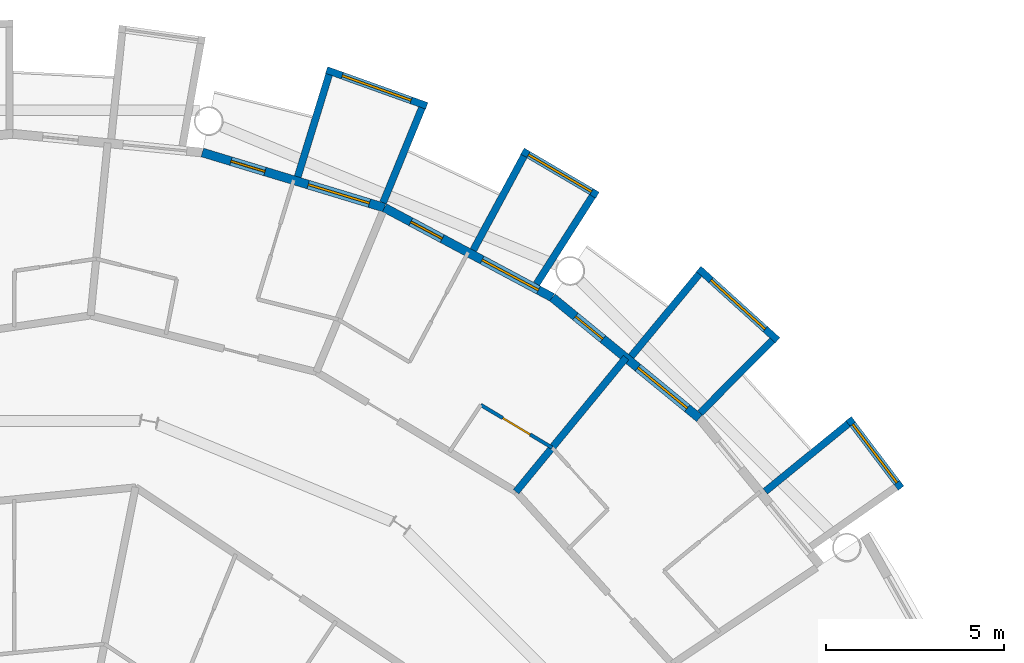
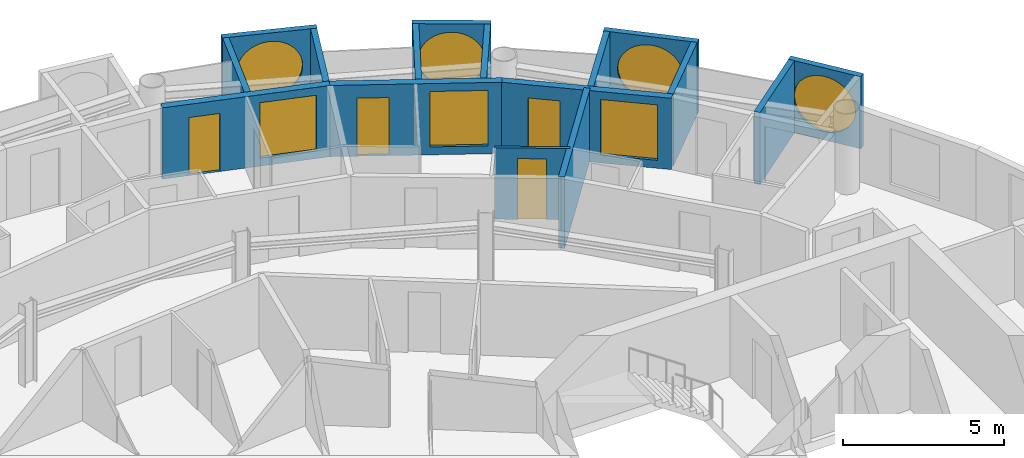
# One storey, part 23 of 27: 16 walls, 7 windows, 4 doors, 11 openings.
"""IFC4 building model written with IfcOpenShell, lengths in metres."""

from ifc_helpers import new_model, si_unit, direction, frame, frame_2d, origin, place, context, subcontext, project, spatial, rectangle, circle, extrude, material, layer, layer_set, type_object, element, fill, save


model = new_model("IFC4")

# Units and contexts
model_context = context("Model", 3, precision=1e-05, world=origin(), true_north=direction((0.0, 1.0)))
body_context = subcontext(model_context, "Body", "Model", "MODEL_VIEW")
ifc_project = project(units=[si_unit("LENGTHUNIT", "METRE"), si_unit("AREAUNIT", "SQUARE_METRE"), si_unit("VOLUMEUNIT", "CUBIC_METRE"), si_unit("PLANEANGLEUNIT", "RADIAN"), si_unit("MASSUNIT", "GRAM", prefix="KILO")], contexts=[model_context])

# Site, building, storey
site_placement = place(None, origin())
site = spatial("IfcSite", under=ifc_project, at=site_placement, CompositionType="ELEMENT")
building_placement = place(site_placement, origin())
building = spatial("IfcBuilding", under=site, at=building_placement, Name="Maasbend Ring Residences", CompositionType="ELEMENT")
storey_placement = place(building_placement, frame((0.0, 0.0, 145.199951171875)))
storey = spatial("IfcBuildingStorey", under=building, at=storey_placement, Name="L41", CompositionType="ELEMENT", Elevation=145.199951171875)

# Wall, opening, window
ifc_material_1 = material(Name="Pale anodised aluminium panel", Category="aluminium")
ifc_layer_1 = layer(ifc_material_1, 0.199951171875)
ifc_layer_set_1 = layer_set([ifc_layer_1], Name="EW-BOX")
wall_type_1 = type_object("IfcWallType", Name="EW-BOX", PredefinedType="SOLIDWALL", material=ifc_layer_set_1)
wall_1_placement = place(storey_placement, frame((24.971923828125, 17.3369140625, -0.030029296875), z_axis=(0.0, 0.0, 1.0), x_axis=(-0.602806268067, 0.797887588059, 0.0)))
wall_1 = element("IfcWall", 1, at=wall_1_placement, inside=storey, type_object=wall_type_1, Name="Box front N01", PredefinedType="SOLIDWALL", context=body_context, shape_type="SweptSolid", body=[
    extrude(rectangle(XDim=2.446533203125, YDim=0.199951171875, at=frame_2d((1.22314453125, 0.0))), origin(), (0.0, 0.0, 1.0), 2.72998046875),
])
opening_1_placement = place(wall_1_placement, frame((0.182861328125, 0.0, 0.330078125)))
opening_1 = element("IfcOpeningElement", 2, at=opening_1_placement, cuts=wall_1, Name="Opening W-RD", PredefinedType="OPENING", context=body_context, shape_type="SweptSolid", body=[
    extrude(circle(Radius=1.0400390625, at=frame_2d((1.0400390625, 1.0400390625))), frame((0.0, 0.10986328125, 0.0), z_axis=(0.0, -1.0, 0.0), x_axis=(1.0, 0.0, 0.0)), (0.0, 0.0, 1.0), 0.219970703125),
])
ifc_material_2 = material(Name="Aluminium and clear glass", Category="aluminium")
window_type_1 = type_object("IfcWindowType", Name="W-RD", PartitioningType="SINGLE_PANEL", PredefinedType="WINDOW", material=ifc_material_2)
window_1_placement = place(opening_1_placement, origin())
window_1 = element("IfcWindow", 3, at=window_1_placement, inside=storey, type_object=window_type_1, Name="Round window N01", OverallHeight=2.080078125, OverallWidth=2.080078125, PartitioningType="SINGLE_PANEL", PredefinedType="WINDOW", context=body_context, shape_type="SweptSolid", body=[
    extrude(circle(Radius=1.0400390625, at=frame_2d((1.0400390625, 1.0400390625))), frame((0.0, 0.030029296875, 0.0), z_axis=(0.0, -1.0, 0.0), x_axis=(1.0, 0.0, 0.0)), (0.0, 0.0, 1.0), 0.06005859375),
])
fill(opening_1, window_1)

# Wall
wall_2_placement = place(storey_placement, frame((21.155029296875, 17.24609375, -0.030029296875), z_axis=(0.0, 0.0, 1.0), x_axis=(0.775179004516, 0.631741648902, 0.0)))
element("IfcWall", 4, at=wall_2_placement, inside=storey, type_object=wall_type_1, Name="Box side wall N01 right", PredefinedType="SOLIDWALL", context=body_context, shape_type="SweptSolid", body=[
    extrude(rectangle(XDim=3.005859375, YDim=0.199951171875, at=frame_2d((1.5029296875, 0.0))), origin(), (0.0, 0.0, 1.0), 2.72998046875),
])

# Wall, opening, window
wall_3_placement = place(storey_placement, frame((21.5, 21.492919921875, -0.030029296875), z_axis=(0.0, 0.0, 1.0), x_axis=(-0.740998365753, 0.671506829416, 0.0)))
wall_3 = element("IfcWall", 5, at=wall_3_placement, inside=storey, type_object=wall_type_1, Name="Box front N03", PredefinedType="SOLIDWALL", context=body_context, shape_type="SweptSolid", body=[
    extrude(rectangle(XDim=2.9931640625, YDim=0.199951171875, at=frame_2d((1.49658203125, 0.0))), origin(), (0.0, 0.0, 1.0), 2.72998046875),
])
opening_2_placement = place(wall_3_placement, frame((0.45654296875, 0.0, 0.330078125)))
opening_2 = element("IfcOpeningElement", 6, at=opening_2_placement, cuts=wall_3, Name="Opening W-RD", PredefinedType="OPENING", context=body_context, shape_type="SweptSolid", body=[
    extrude(circle(Radius=1.0400390625, at=frame_2d((1.0400390625, 1.0400390625))), frame((0.0, 0.10986328125, 0.0), z_axis=(0.0, -1.0, 0.0), x_axis=(1.0, 0.0, 0.0)), (0.0, 0.0, 1.0), 0.219970703125),
])
window_2_placement = place(opening_2_placement, origin())
window_2 = element("IfcWindow", 7, at=window_2_placement, inside=storey, type_object=window_type_1, Name="Round window N03", OverallHeight=2.080078125, OverallWidth=2.080078125, PartitioningType="SINGLE_PANEL", PredefinedType="WINDOW", context=body_context, shape_type="SweptSolid", body=[
    extrude(circle(Radius=1.0400390625, at=frame_2d((1.0400390625, 1.0400390625))), frame((0.0, 0.030029296875, 0.0), z_axis=(0.0, -1.0, 0.0), x_axis=(1.0, 0.0, 0.0)), (0.0, 0.0, 1.0), 0.06005859375),
])
fill(opening_2, window_2)

# Walls
wall_4_placement = place(storey_placement, frame((19.322998046875, 19.449951171875, -0.030029296875), z_axis=(0.0, 0.0, 1.0), x_axis=(0.704476739375, 0.709727076896, 0.0)))
element("IfcWall", 8, at=wall_4_placement, inside=storey, type_object=wall_type_1, Name="Box side wall N03 left", PredefinedType="SOLIDWALL", context=body_context, shape_type="SweptSolid", body=[
    extrude(rectangle(XDim=2.883056640625, YDim=0.199951171875, at=frame_2d((1.44140625, 0.0))), origin(), (0.0, 0.0, 1.0), 2.72998046875),
])
wall_5_placement = place(storey_placement, frame((17.384033203125, 21.041015625, -0.030029296875), z_axis=(0.0, 0.0, 1.0), x_axis=(0.63709551667, 0.770784861449, 0.0)))
element("IfcWall", 9, at=wall_5_placement, inside=storey, type_object=wall_type_1, Name="Box side wall N03 right", PredefinedType="SOLIDWALL", context=body_context, shape_type="SweptSolid", body=[
    extrude(rectangle(XDim=3.005859375, YDim=0.199951171875, at=frame_2d((1.5029296875, 0.0))), origin(), (0.0, 0.0, 1.0), 2.72998046875),
])

# Wall, opening, window
wall_6_placement = place(storey_placement, frame((16.43603515625, 25.573974609375, -0.030029296875), z_axis=(0.0, 0.0, 1.0), x_axis=(-0.862403467503, 0.506221551535, 0.0)))
wall_6 = element("IfcWall", 10, at=wall_6_placement, inside=storey, type_object=wall_type_1, Name="Box front N05", PredefinedType="SOLIDWALL", context=body_context, shape_type="SweptSolid", body=[
    extrude(rectangle(XDim=2.445556640625, YDim=0.199951171875, at=frame_2d((1.22265625, 0.0))), origin(), (0.0, 0.0, 1.0), 2.72998046875),
])
opening_3_placement = place(wall_6_placement, frame((0.182861328125, 0.0, 0.330078125)))
opening_3 = element("IfcOpeningElement", 11, at=opening_3_placement, cuts=wall_6, Name="Opening W-RD", PredefinedType="OPENING", context=body_context, shape_type="SweptSolid", body=[
    extrude(circle(Radius=1.0400390625, at=frame_2d((1.0400390625, 1.0400390625))), frame((0.0, 0.10986328125, 0.0), z_axis=(0.0, -1.0, 0.0), x_axis=(1.0, 0.0, 0.0)), (0.0, 0.0, 1.0), 0.219970703125),
])
window_3_placement = place(opening_3_placement, origin())
window_3 = element("IfcWindow", 12, at=window_3_placement, inside=storey, type_object=window_type_1, Name="Round window N05", OverallHeight=2.080078125, OverallWidth=2.080078125, PartitioningType="SINGLE_PANEL", PredefinedType="WINDOW", context=body_context, shape_type="SweptSolid", body=[
    extrude(circle(Radius=1.0400390625, at=frame_2d((1.0400390625, 1.0400390625))), frame((0.0, 0.030029296875, 0.0), z_axis=(0.0, -1.0, 0.0), x_axis=(1.0, 0.0, 0.0)), (0.0, 0.0, 1.0), 0.06005859375),
])
fill(opening_3, window_3)

# Walls
wall_7_placement = place(storey_placement, frame((14.721923828125, 23.0791015625, -0.030029296875), z_axis=(0.0, 0.0, 1.0), x_axis=(0.537572179146, 0.843217737129, 0.0)))
element("IfcWall", 13, at=wall_7_placement, inside=storey, type_object=wall_type_1, Name="Box side wall N05 left", PredefinedType="SOLIDWALL", context=body_context, shape_type="SweptSolid", body=[
    extrude(rectangle(XDim=2.92431640625, YDim=0.199951171875, at=frame_2d((1.462158203125, 0.0))), origin(), (0.0, 0.0, 1.0), 2.72998046875),
])
wall_8_placement = place(storey_placement, frame((12.945068359375, 24.029052734375, -0.030029296875), z_axis=(0.0, 0.0, 1.0), x_axis=(0.474424310775, 0.88029629861, 0.0)))
element("IfcWall", 14, at=wall_8_placement, inside=storey, type_object=wall_type_1, Name="Box side wall N05 right", PredefinedType="SOLIDWALL", context=body_context, shape_type="SweptSolid", body=[
    extrude(rectangle(XDim=3.005859375, YDim=0.199951171875, at=frame_2d((1.5029296875, 0.0))), origin(), (0.0, 0.0, 1.0), 2.72998046875),
])

# Wall, opening, window
wall_9_placement = place(storey_placement, frame((11.637939453125, 28.083984375, -0.030029296875), z_axis=(0.0, 0.0, 1.0), x_axis=(-0.941461077774, 0.337121697664, 0.0)))
wall_9 = element("IfcWall", 15, at=wall_9_placement, inside=storey, type_object=wall_type_1, Name="Box front N07", PredefinedType="SOLIDWALL", context=body_context, shape_type="SweptSolid", body=[
    extrude(rectangle(XDim=2.9931640625, YDim=0.199951171875, at=frame_2d((1.49658203125, 0.0))), origin(), (0.0, 0.0, 1.0), 2.72998046875),
])
opening_4_placement = place(wall_9_placement, frame((0.45654296875, 0.0, 0.330078125)))
opening_4 = element("IfcOpeningElement", 16, at=opening_4_placement, cuts=wall_9, Name="Opening W-RD", PredefinedType="OPENING", context=body_context, shape_type="SweptSolid", body=[
    extrude(circle(Radius=1.0400390625, at=frame_2d((1.0400390625, 1.0400390625))), frame((0.0, 0.10986328125, 0.0), z_axis=(0.0, -1.0, 0.0), x_axis=(1.0, 0.0, 0.0)), (0.0, 0.0, 1.0), 0.219970703125),
])
window_4_placement = place(opening_4_placement, origin())
window_4 = element("IfcWindow", 17, at=window_4_placement, inside=storey, type_object=window_type_1, Name="Round window N07", OverallHeight=2.080078125, OverallWidth=2.080078125, PartitioningType="SINGLE_PANEL", PredefinedType="WINDOW", context=body_context, shape_type="SweptSolid", body=[
    extrude(circle(Radius=1.0400390625, at=frame_2d((1.0400390625, 1.0400390625))), frame((0.0, 0.030029296875, 0.0), z_axis=(0.0, -1.0, 0.0), x_axis=(1.0, 0.0, 0.0)), (0.0, 0.0, 1.0), 0.06005859375),
])
fill(opening_4, window_4)

# Walls
wall_10_placement = place(storey_placement, frame((10.408935546875, 25.364013671875, -0.030029296875), z_axis=(0.0, 0.0, 1.0), x_axis=(0.379509886562, 0.925187681501, 0.0)))
element("IfcWall", 18, at=wall_10_placement, inside=storey, type_object=wall_type_1, Name="Box side wall N07 left", PredefinedType="SOLIDWALL", context=body_context, shape_type="SweptSolid", body=[
    extrude(rectangle(XDim=2.882568359375, YDim=0.199951171875, at=frame_2d((1.44140625, 0.0))), origin(), (0.0, 0.0, 1.0), 2.72998046875),
])
wall_11_placement = place(storey_placement, frame((8.009033203125, 26.092041015625, -0.030029296875), z_axis=(0.0, 0.0, 1.0), x_axis=(0.293406695073, 0.955987715029, 0.0)))
element("IfcWall", 19, at=wall_11_placement, inside=storey, type_object=wall_type_1, Name="Box side wall N07 right", PredefinedType="SOLIDWALL", context=body_context, shape_type="SweptSolid", body=[
    extrude(rectangle(XDim=3.00634765625, YDim=0.199951171875, at=frame_2d((1.503173828125, 0.0))), origin(), (0.0, 0.0, 1.0), 2.72998046875),
])

# Wall, openings, door, window
ifc_material_3 = material(Name="Aluminium clad insulated panel", Category="aluminium")
ifc_layer_2 = layer(ifc_material_3, 0.25)
ifc_layer_set_2 = layer_set([ifc_layer_2], Name="EW-GL")
wall_type_2 = type_object("IfcWallType", Name="EW-GL", PredefinedType="SOLIDWALL", material=ifc_layer_set_2)
wall_12_placement = place(storey_placement, frame((19.303955078125, 19.303955078125, 0.0), z_axis=(0.0, 0.0, 1.0), x_axis=(-0.773019449054, 0.634382322723, 0.0)))
wall_12 = element("IfcWall", 20, at=wall_12_placement, inside=storey, type_object=wall_type_2, Name="External wall N02", PredefinedType="SOLIDWALL", context=body_context, shape_type="SweptSolid", body=[
    extrude(rectangle(XDim=5.351806640625, YDim=0.25, at=frame_2d((2.67578125, 0.0))), origin(), (0.0, 0.0, 1.0), 2.699951171875),
])
opening_5_placement = place(wall_12_placement, frame((0.441162109375, 0.0, 0.300048828125)))
opening_5 = element("IfcOpeningElement", 21, at=opening_5_placement, cuts=wall_12, Name="Opening W-BX", PredefinedType="OPENING", context=body_context, shape_type="SweptSolid", body=[
    extrude(rectangle(XDim=1.800048828125, YDim=2.10009765625, at=frame_2d((0.89990234375, 1.050048828125))), frame((0.0, 0.135009765625, 0.0), z_axis=(0.0, -1.0, 0.0), x_axis=(1.0, 0.0, 0.0)), (0.0, 0.0, 1.0), 0.27001953125),
])
opening_6_placement = place(wall_12_placement, frame((3.510498046875, 0.0, 0.0)))
opening_6 = element("IfcOpeningElement", 22, at=opening_6_placement, cuts=wall_12, Name="Opening D-LG", PredefinedType="OPENING", context=body_context, shape_type="SweptSolid", body=[
    extrude(rectangle(XDim=1.0, YDim=2.199951171875, at=frame_2d((0.5, 1.10009765625))), frame((0.0, 0.135009765625, 0.0), z_axis=(0.0, -1.0, 0.0), x_axis=(1.0, 0.0, 0.0)), (0.0, 0.0, 1.0), 0.27001953125),
])
ifc_material_4 = material(Name="Aluminium and clear glass", Category="aluminium")
door_type_1 = type_object("IfcDoorType", Name="D-LG", OperationType="SINGLE_SWING_LEFT", PredefinedType="DOOR", material=ifc_material_4)
door_1_placement = place(opening_6_placement, origin())
door_1 = element("IfcDoor", 23, at=door_1_placement, inside=storey, type_object=door_type_1, Name="Loggia door N04", OperationType="SINGLE_SWING_LEFT", OverallHeight=2.199951171875, OverallWidth=1.0, PredefinedType="DOOR", context=body_context, shape_type="SweptSolid", body=[
    extrude(rectangle(XDim=1.0, YDim=2.199951171875, at=frame_2d((0.5, 1.10009765625))), frame((0.0, 0.02490234375, 0.0), z_axis=(0.0, -1.0, 0.0), x_axis=(1.0, 0.0, 0.0)), (0.0, 0.0, 1.0), 0.050048828125),
])
fill(opening_6, door_1)
ifc_material_5 = material(Name="Aluminium and clear glass", Category="aluminium")
window_type_2 = type_object("IfcWindowType", Name="W-BX", PartitioningType="DOUBLE_PANEL_VERTICAL", PredefinedType="WINDOW", material=ifc_material_5)
window_5_placement = place(opening_5_placement, origin())
window_5 = element("IfcWindow", 24, at=window_5_placement, inside=storey, type_object=window_type_2, Name="Window N03 room to box", OverallHeight=2.10009765625, OverallWidth=1.800048828125, PartitioningType="SINGLE_PANEL", PredefinedType="WINDOW", context=body_context, shape_type="SweptSolid", body=[
    extrude(rectangle(XDim=1.800048828125, YDim=2.10009765625, at=frame_2d((0.89990234375, 1.050048828125))), frame((0.0, 0.030029296875, 0.0), z_axis=(0.0, -1.0, 0.0), x_axis=(1.0, 0.0, 0.0)), (0.0, 0.0, 1.0), 0.06005859375),
])
fill(opening_5, window_5)

wall_13_placement = place(storey_placement, frame((15.1669921875, 22.698974609375, 0.0), z_axis=(0.0, 0.0, 1.0), x_axis=(-0.881915646801, 0.471407246368, 0.0)))
wall_13 = element("IfcWall", 25, at=wall_13_placement, inside=storey, type_object=wall_type_2, Name="External wall N03", PredefinedType="SOLIDWALL", context=body_context, shape_type="SweptSolid", body=[
    extrude(rectangle(XDim=5.35205078125, YDim=0.25, at=frame_2d((2.676025390625, 0.0))), origin(), (0.0, 0.0, 1.0), 2.699951171875),
])
opening_7_placement = place(wall_13_placement, frame((0.441162109375, 0.0, 0.300048828125)))
opening_7 = element("IfcOpeningElement", 26, at=opening_7_placement, cuts=wall_13, Name="Opening W-BX", PredefinedType="OPENING", context=body_context, shape_type="SweptSolid", body=[
    extrude(rectangle(XDim=1.800048828125, YDim=2.10009765625, at=frame_2d((0.89990234375, 1.050048828125))), frame((0.0, 0.135009765625, 0.0), z_axis=(0.0, -1.0, 0.0), x_axis=(1.0, 0.0, 0.0)), (0.0, 0.0, 1.0), 0.27001953125),
])
opening_8_placement = place(wall_13_placement, frame((3.510498046875, 0.0, 0.0)))
opening_8 = element("IfcOpeningElement", 27, at=opening_8_placement, cuts=wall_13, Name="Opening D-LG", PredefinedType="OPENING", context=body_context, shape_type="SweptSolid", body=[
    extrude(rectangle(XDim=1.0, YDim=2.199951171875, at=frame_2d((0.5, 1.10009765625))), frame((0.0, 0.135009765625, 0.0), z_axis=(0.0, -1.0, 0.0), x_axis=(1.0, 0.0, 0.0)), (0.0, 0.0, 1.0), 0.27001953125),
])
door_2_placement = place(opening_8_placement, origin())
door_2 = element("IfcDoor", 28, at=door_2_placement, inside=storey, type_object=door_type_1, Name="Loggia door N06", OperationType="SINGLE_SWING_LEFT", OverallHeight=2.199951171875, OverallWidth=1.0, PredefinedType="DOOR", context=body_context, shape_type="SweptSolid", body=[
    extrude(rectangle(XDim=1.0, YDim=2.199951171875, at=frame_2d((0.5, 1.10009765625))), frame((0.0, 0.02490234375, 0.0), z_axis=(0.0, -1.0, 0.0), x_axis=(1.0, 0.0, 0.0)), (0.0, 0.0, 1.0), 0.050048828125),
])
fill(opening_8, door_2)
window_6_placement = place(opening_7_placement, origin())
window_6 = element("IfcWindow", 29, at=window_6_placement, inside=storey, type_object=window_type_2, Name="Window N05 room to box", OverallHeight=2.10009765625, OverallWidth=1.800048828125, PartitioningType="SINGLE_PANEL", PredefinedType="WINDOW", context=body_context, shape_type="SweptSolid", body=[
    extrude(rectangle(XDim=1.800048828125, YDim=2.10009765625, at=frame_2d((0.89990234375, 1.050048828125))), frame((0.0, 0.030029296875, 0.0), z_axis=(0.0, -1.0, 0.0), x_axis=(1.0, 0.0, 0.0)), (0.0, 0.0, 1.0), 0.06005859375),
])
fill(opening_7, window_6)

wall_14_placement = place(storey_placement, frame((10.447021484375, 25.221923828125, 0.0), z_axis=(0.0, 0.0, 1.0), x_axis=(-0.956965678721, 0.290201119486, 0.0)))
wall_14 = element("IfcWall", 30, at=wall_14_placement, inside=storey, type_object=wall_type_2, Name="External wall N04", PredefinedType="SOLIDWALL", context=body_context, shape_type="SweptSolid", body=[
    extrude(rectangle(XDim=5.351318359375, YDim=0.25, at=frame_2d((2.67578125, 0.0))), origin(), (0.0, 0.0, 1.0), 2.699951171875),
])
opening_9_placement = place(wall_14_placement, frame((0.441162109375, 0.0, 0.300048828125)))
opening_9 = element("IfcOpeningElement", 31, at=opening_9_placement, cuts=wall_14, Name="Opening W-BX", PredefinedType="OPENING", context=body_context, shape_type="SweptSolid", body=[
    extrude(rectangle(XDim=1.800048828125, YDim=2.10009765625, at=frame_2d((0.89990234375, 1.050048828125))), frame((0.0, 0.135009765625, 0.0), z_axis=(0.0, -1.0, 0.0), x_axis=(1.0, 0.0, 0.0)), (0.0, 0.0, 1.0), 0.27001953125),
])
opening_10_placement = place(wall_14_placement, frame((3.510498046875, 0.0, 0.0)))
opening_10 = element("IfcOpeningElement", 32, at=opening_10_placement, cuts=wall_14, Name="Opening D-LG", PredefinedType="OPENING", context=body_context, shape_type="SweptSolid", body=[
    extrude(rectangle(XDim=1.0, YDim=2.199951171875, at=frame_2d((0.5, 1.10009765625))), frame((0.0, 0.135009765625, 0.0), z_axis=(0.0, -1.0, 0.0), x_axis=(1.0, 0.0, 0.0)), (0.0, 0.0, 1.0), 0.27001953125),
])
door_3_placement = place(opening_10_placement, origin())
door_3 = element("IfcDoor", 33, at=door_3_placement, inside=storey, type_object=door_type_1, Name="Loggia door N08", OperationType="SINGLE_SWING_LEFT", OverallHeight=2.199951171875, OverallWidth=1.0, PredefinedType="DOOR", context=body_context, shape_type="SweptSolid", body=[
    extrude(rectangle(XDim=1.0, YDim=2.199951171875, at=frame_2d((0.5, 1.10009765625))), frame((0.0, 0.02490234375, 0.0), z_axis=(0.0, -1.0, 0.0), x_axis=(1.0, 0.0, 0.0)), (0.0, 0.0, 1.0), 0.050048828125),
])
fill(opening_10, door_3)
window_7_placement = place(opening_9_placement, origin())
window_7 = element("IfcWindow", 34, at=window_7_placement, inside=storey, type_object=window_type_2, Name="Window N07 room to box", OverallHeight=2.10009765625, OverallWidth=1.800048828125, PartitioningType="SINGLE_PANEL", PredefinedType="WINDOW", context=body_context, shape_type="SweptSolid", body=[
    extrude(rectangle(XDim=1.800048828125, YDim=2.10009765625, at=frame_2d((0.89990234375, 1.050048828125))), frame((0.0, 0.030029296875, 0.0), z_axis=(0.0, -1.0, 0.0), x_axis=(1.0, 0.0, 0.0)), (0.0, 0.0, 1.0), 0.06005859375),
])
fill(opening_9, window_7)

# Wall, opening, door
ifc_material_6 = material(Name="Gypsum board on steel studs", Category="steel")
ifc_layer_3 = layer(ifc_material_6, 0.10009765625)
ifc_layer_set_3 = layer_set([ifc_layer_3], Name="PARTITION 100 GYPSUM")
wall_type_3 = type_object("IfcWallType", Name="PARTITION 100 GYPSUM", PredefinedType="PARTITIONING", material=ifc_layer_set_3)
wall_15_placement = place(storey_placement, frame((13.156982421875, 19.677001953125, 0.0), z_axis=(0.0, 0.0, 1.0), x_axis=(0.857714000218, -0.514127118358, 0.0)))
wall_15 = element("IfcWall", 35, at=wall_15_placement, inside=storey, type_object=wall_type_3, Name="U-L41-w116", PredefinedType="PARTITIONING", context=body_context, shape_type="SweptSolid", body=[
    extrude(rectangle(XDim=2.337646484375, YDim=0.10009765625, at=frame_2d((1.1689453125, 0.0))), origin(), (0.0, 0.0, 1.0), 2.699951171875),
])
opening_11_placement = place(wall_15_placement, frame((0.718994140625, 0.0, 0.0)))
opening_11 = element("IfcOpeningElement", 36, at=opening_11_placement, cuts=wall_15, Name="Opening D-4105", PredefinedType="OPENING", context=body_context, shape_type="SweptSolid", body=[
    extrude(rectangle(XDim=0.89990234375, YDim=2.300048828125, at=frame_2d((0.449951171875, 1.14990234375))), frame((0.0, 0.06005859375, 0.0), z_axis=(0.0, -1.0, 0.0), x_axis=(1.0, 0.0, 0.0)), (0.0, 0.0, 1.0), 0.1201171875),
])
ifc_material_7 = material(Name="Timber, painted", Category="wood")
door_type_2 = type_object("IfcDoorType", Name="INTERNAL DOOR 900 X 2300", OperationType="NOTDEFINED", PredefinedType="DOOR", material=ifc_material_7)
door_4_placement = place(opening_11_placement, origin())
door_4 = element("IfcDoor", 37, at=door_4_placement, inside=storey, type_object=door_type_2, Name="D-4105", OperationType="SINGLE_SWING_RIGHT", OverallHeight=2.300048828125, OverallWidth=0.89990234375, PredefinedType="DOOR", context=body_context, shape_type="SweptSolid", body=[
    extrude(rectangle(XDim=0.89990234375, YDim=2.300048828125, at=frame_2d((0.449951171875, 1.14990234375))), frame((0.0, 0.02490234375, 0.0), z_axis=(0.0, -1.0, 0.0), x_axis=(1.0, 0.0, 0.0)), (0.0, 0.0, 1.0), 0.050048828125),
])
fill(opening_11, door_4)

# Wall
ifc_material_8 = material(Name="Concrete C30/37", Category="concrete")
ifc_layer_4 = layer(ifc_material_8, 0.199951171875)
ifc_layer_set_4 = layer_set([ifc_layer_4], Name="Concrete C30/37")
wall_type_4 = type_object("IfcWallType", Name="PARTY WALL 200 CONCRETE", PredefinedType="PARTITIONING", material=ifc_layer_set_4)
wall_16_placement = place(storey_placement, frame((14.14697265625, 17.238037109375, 0.0), z_axis=(0.0, 0.0, 1.0), x_axis=(0.634374159378, 0.773026148273, 0.0)))
element("IfcWall", 38, at=wall_16_placement, inside=storey, type_object=wall_type_4, Name="U-L41-w076", PredefinedType="PARTITIONING", context=body_context, shape_type="SweptSolid", body=[
    extrude(rectangle(XDim=4.875732421875, YDim=0.199951171875, at=frame_2d((2.43798828125, 0.0))), origin(), (0.0, 0.0, 1.0), 2.699951171875),
])

save(model, "model.ifc")
